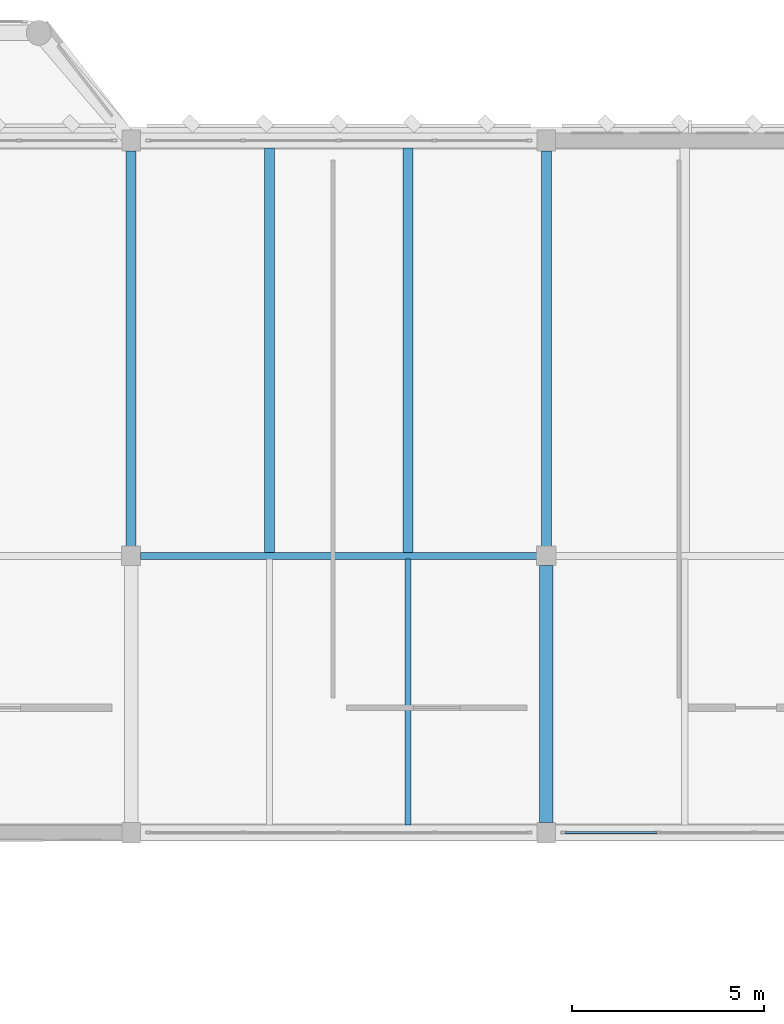
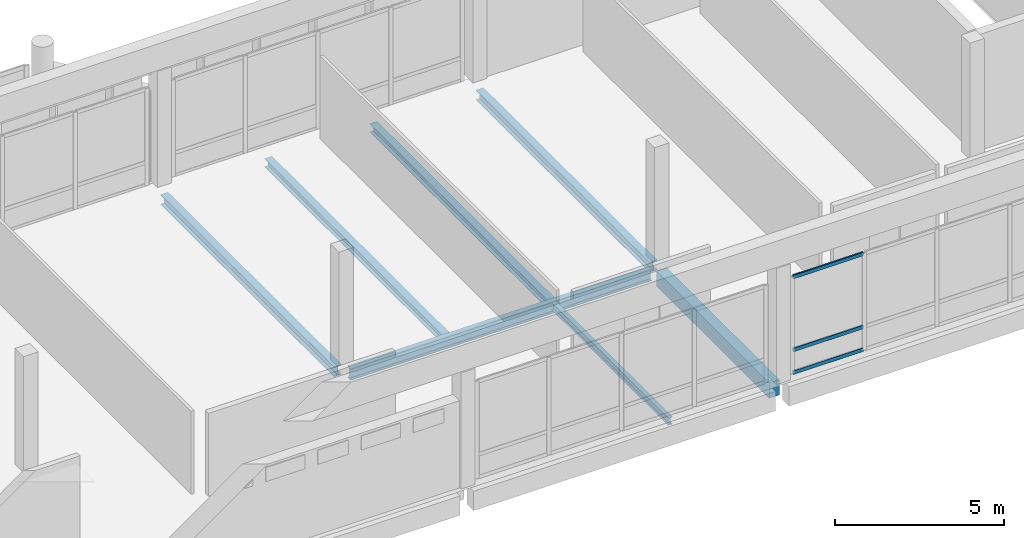
# One storey, part 14 of 33: 7 beams, 3 members, 1 element without a shape of its own.
"""IFC4 building model written with IfcOpenShell, lengths in metres."""

from ifc_helpers import new_model, si_unit, direction, frame, origin, origin_2d, place, context, subcontext, project, spatial, rectangle, hollow_rectangle, i_section, extrude, material, material_profile, profile_set, type_object, element, aggregate, save


model = new_model("IFC4")

# Units and contexts
model_context = context("Model", 3, precision=1e-05, world=origin(), true_north=direction((0.0, 1.0)))
body_context = subcontext(model_context, "Body", "Model", "MODEL_VIEW")
ifc_project = project(units=[si_unit("LENGTHUNIT", "METRE"), si_unit("AREAUNIT", "SQUARE_METRE"), si_unit("VOLUMEUNIT", "CUBIC_METRE"), si_unit("PLANEANGLEUNIT", "RADIAN"), si_unit("MASSUNIT", "GRAM", prefix="KILO")], contexts=[model_context])

# Site, building, storey
site_placement = place(None, origin())
site = spatial("IfcSite", under=ifc_project, at=site_placement, CompositionType="ELEMENT")
building_placement = place(site_placement, origin())
building = spatial("IfcBuilding", under=site, at=building_placement, Name="Lusvemor Sports Hall", CompositionType="ELEMENT")
storey_placement = place(building_placement, frame((0.0, 0.0, 19.199951171875)))
storey = spatial("IfcBuildingStorey", under=building, at=storey_placement, Name="L04", CompositionType="ELEMENT", Elevation=19.199951171875)

# Beams
ifc_material_1 = material(Name="Concrete C40/50", Category="concrete")
ifc_material_profile_1 = material_profile(ifc_material_1, rectangle(XDim=0.35009765625, YDim=0.550048828125, at=origin_2d()), Name="RC350x550")
ifc_profile_set_1 = profile_set([ifc_material_profile_1], Name="Concrete C40/50")
beam_type_1 = type_object("IfcBeamType", Name="BEAM_RC_550", PredefinedType="BEAM", material=ifc_profile_set_1)
beam_1_placement = place(storey_placement, frame((43.199951171875, 97.466064453125, -0.56494140625), z_axis=(0.0, 1.0, 0.0), x_axis=(-1.0, 0.0, 0.0)))
element("IfcBeam", 1, at=beam_1_placement, inside=storey, type_object=beam_type_1, Name="Beam L04 5:N-P", PredefinedType="BEAM", context=body_context, shape_type="SweptSolid", body=[
    extrude(rectangle(XDim=0.35009765625, YDim=0.550048828125, at=origin_2d()), origin(), (0.0, 0.0, 1.0), 6.68798828125),
])
ifc_material_2 = material(Name="Steel S355", Category="steel")
ifc_material_profile_2 = material_profile(ifc_material_2, i_section(OverallWidth=0.256103515625, OverallDepth=0.360107421875, WebThickness=0.011474609375, FlangeThickness=0.02001953125, FilletRadius=0.014892578125, at=origin_2d()), Name="W360x110.0")
ifc_profile_set_2 = profile_set([ifc_material_profile_2], Name="Steel S355")
beam_type_2 = type_object("IfcBeamType", Name="BEAM_ST_360H", PredefinedType="BEAM", material=ifc_profile_set_2)
for number, where, z_axis, x_axis, name in (
    (2, (32.39990234375, 104.64599609375, -0.473876953125), (0.0, 1.0, 0.0), (-1.0, 0.0, 0.0), "Beam L04 4:P-Q"),
    (3, (43.199951171875, 104.64599609375, -0.473876953125), (0.0, 1.0, 0.0), (-1.0, 0.0, 0.0), "Beam L04 5:P-Q"),
):
    element("IfcBeam", number, at=place(storey_placement, frame(where, z_axis=z_axis, x_axis=x_axis)), inside=storey, type_object=beam_type_2, Name=name, PredefinedType="BEAM", context=body_context, shape_type="SweptSolid", body=[
        extrude(i_section(OverallWidth=0.256103515625, OverallDepth=0.360107421875, WebThickness=0.011474609375, FlangeThickness=0.02001953125, FilletRadius=0.014892578125, at=origin_2d()), origin(), (0.0, 0.0, 1.0), 10.2880859375),
    ])
ifc_material_3 = material(Name="Steel S355", Category="steel")
ifc_material_profile_3 = material_profile(ifc_material_3, i_section(OverallWidth=0.180908203125, OverallDepth=0.4169921875, WebThickness=0.010986328125, FlangeThickness=0.018310546875, FilletRadius=0.01611328125, at=origin_2d()), Name="W410x85.0")
ifc_profile_set_3 = profile_set([ifc_material_profile_3], Name="Steel S355")
beam_type_3 = type_object("IfcBeamType", Name="BEAM_ST_410H", PredefinedType="BEAM", material=ifc_profile_set_3)
beam_2_placement = place(storey_placement, frame((32.64599609375, 104.39990234375, -0.50244140625), z_axis=(1.0, 0.0, 0.0), x_axis=(0.0, 1.0, 0.0)))
element("IfcBeam", 4, at=beam_2_placement, inside=storey, type_object=beam_type_3, Name="Beam L04 P:4-5", PredefinedType="BEAM", context=body_context, shape_type="SweptSolid", body=[
    extrude(i_section(OverallWidth=0.180908203125, OverallDepth=0.4169921875, WebThickness=0.010986328125, FlangeThickness=0.018310546875, FilletRadius=0.01611328125, at=origin_2d()), origin(), (0.0, 0.0, 1.0), 10.30810546875),
])

# Curtain wall, members
ifc_material_4 = material(Name="Thermally broken bronze-anodized aluminium", Category="aluminium")
curtain_wall_type = type_object("IfcCurtainWallType", Name="CW_WING_B", PredefinedType="NOTDEFINED", material=ifc_material_4)
curtain_wall_placement = place(storey_placement, origin())
curtain_wall = element("IfcCurtainWall", 5, at=curtain_wall_placement, inside=storey, type_object=curtain_wall_type, Name="Curtain Wall CW-L04-S-3-4", PredefinedType="NOTDEFINED")
ifc_material_5 = material(Name="Thermally broken bronze-anodized aluminium", Category="aluminium")
ifc_material_profile_4 = material_profile(ifc_material_5, hollow_rectangle(XDim=0.06005859375, YDim=0.135009765625, WallThickness=0.00390625, InnerFilletRadius=0.00390625, OuterFilletRadius=0.008056640625, at=origin_2d()), Name="CWTRN135x60x4")
ifc_profile_set_4 = profile_set([ifc_material_profile_4], Name="Thermally broken bronze-anodized aluminium")
member_type = type_object("IfcMemberType", Name="CW_TRN_B", PredefinedType="USERDEFINED", material=ifc_profile_set_4)
member_1_placement = place(storey_placement, frame((46.077392578125, 97.199951171875, 0.030029296875), z_axis=(-1.0, 0.0, 0.0), x_axis=(0.0, -1.0, 0.0)))
member_1 = element("IfcMember", 6, at=member_1_placement, type_object=member_type, Name="CW02 transom 4.1", ObjectType="TRANSOM", PredefinedType="USERDEFINED", context=body_context, shape_type="SweptSolid", body=[
    extrude(hollow_rectangle(XDim=0.06005859375, YDim=0.135009765625, WallThickness=0.00390625, InnerFilletRadius=0.00390625, OuterFilletRadius=0.008056640625, at=origin_2d()), origin(), (0.0, 0.0, 1.0), 2.392333984375),
])
member_2_placement = place(storey_placement, frame((46.077392578125, 97.199951171875, 0.85009765625), z_axis=(-1.0, 0.0, 0.0), x_axis=(0.0, -1.0, 0.0)))
member_2 = element("IfcMember", 7, at=member_2_placement, type_object=member_type, Name="CW02 transom 4.2", ObjectType="TRANSOM", PredefinedType="USERDEFINED", context=body_context, shape_type="SweptSolid", body=[
    extrude(hollow_rectangle(XDim=0.06005859375, YDim=0.135009765625, WallThickness=0.00390625, InnerFilletRadius=0.00390625, OuterFilletRadius=0.008056640625, at=origin_2d()), origin(), (0.0, 0.0, 1.0), 2.392333984375),
])
member_3_placement = place(storey_placement, frame((46.077392578125, 97.199951171875, 3.489990234375), z_axis=(-1.0, 0.0, 0.0), x_axis=(0.0, -1.0, 0.0)))
member_3 = element("IfcMember", 8, at=member_3_placement, type_object=member_type, Name="CW02 transom 4.3", ObjectType="TRANSOM", PredefinedType="USERDEFINED", context=body_context, shape_type="SweptSolid", body=[
    extrude(hollow_rectangle(XDim=0.06005859375, YDim=0.135009765625, WallThickness=0.00390625, InnerFilletRadius=0.00390625, OuterFilletRadius=0.008056640625, at=origin_2d()), origin(), (0.0, 0.0, 1.0), 2.392333984375),
])
aggregate(curtain_wall, [member_1, member_2, member_3])

# Beams
ifc_material_6 = material(Name="Steel S355", Category="steel")
ifc_material_profile_5 = material_profile(ifc_material_6, i_section(OverallWidth=0.14794921875, OverallDepth=0.26611328125, WebThickness=0.007568359375, FlangeThickness=0.012939453125, FilletRadius=0.012939453125, at=origin_2d()), Name="W250x44.8")
ifc_profile_set_5 = profile_set([ifc_material_profile_5], Name="Steel S355")
beam_type_4 = type_object("IfcBeamType", Name="JOIST_ST_250M", PredefinedType="JOIST", material=ifc_profile_set_5)
beam_3_placement = place(storey_placement, frame((39.60009765625, 97.39599609375, -0.427001953125), z_axis=(0.0, 1.0, 0.0), x_axis=(-1.0, 0.0, 0.0)))
element("IfcBeam", 9, at=beam_3_placement, inside=storey, type_object=beam_type_4, Name="Secondary Joist L04 4-5/N-P #2", PredefinedType="JOIST", context=body_context, shape_type="SweptSolid", body=[
    extrude(i_section(OverallWidth=0.14794921875, OverallDepth=0.26611328125, WebThickness=0.007568359375, FlangeThickness=0.012939453125, FilletRadius=0.012939453125, at=origin_2d()), origin(), (0.0, 0.0, 1.0), 6.91748046875),
])
ifc_material_7 = material(Name="Steel S355", Category="steel")
ifc_material_profile_6 = material_profile(ifc_material_7, i_section(OverallWidth=0.25390625, OverallDepth=0.305908203125, WebThickness=0.0087890625, FlangeThickness=0.0146484375, FilletRadius=0.014892578125, at=origin_2d()), Name="W310x79.0")
ifc_profile_set_6 = profile_set([ifc_material_profile_6], Name="Steel S355")
beam_type_5 = type_object("IfcBeamType", Name="JOIST_ST_310H", PredefinedType="JOIST", material=ifc_profile_set_6)
for number, where, z_axis, x_axis, name in (
    (10, (36.0, 104.486572265625, -0.447021484375), (0.0, 1.0, 0.0), (-1.0, 0.0, 0.0), "Secondary Joist L04 4-5/P-Q #1"),
    (11, (39.60009765625, 104.486572265625, -0.447021484375), (0.0, 1.0, 0.0), (-1.0, 0.0, 0.0), "Secondary Joist L04 4-5/P-Q #2"),
):
    element("IfcBeam", number, at=place(storey_placement, frame(where, z_axis=z_axis, x_axis=x_axis)), inside=storey, type_object=beam_type_5, Name=name, PredefinedType="JOIST", context=body_context, shape_type="SweptSolid", body=[
        extrude(i_section(OverallWidth=0.25390625, OverallDepth=0.305908203125, WebThickness=0.0087890625, FlangeThickness=0.0146484375, FilletRadius=0.014892578125, at=origin_2d()), origin(), (0.0, 0.0, 1.0), 10.517333984375),
    ])

save(model, "model.ifc")
